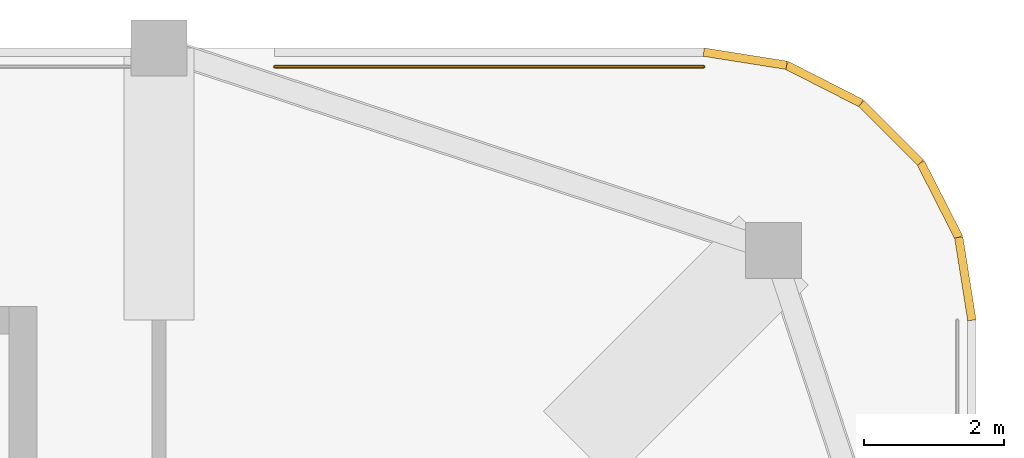
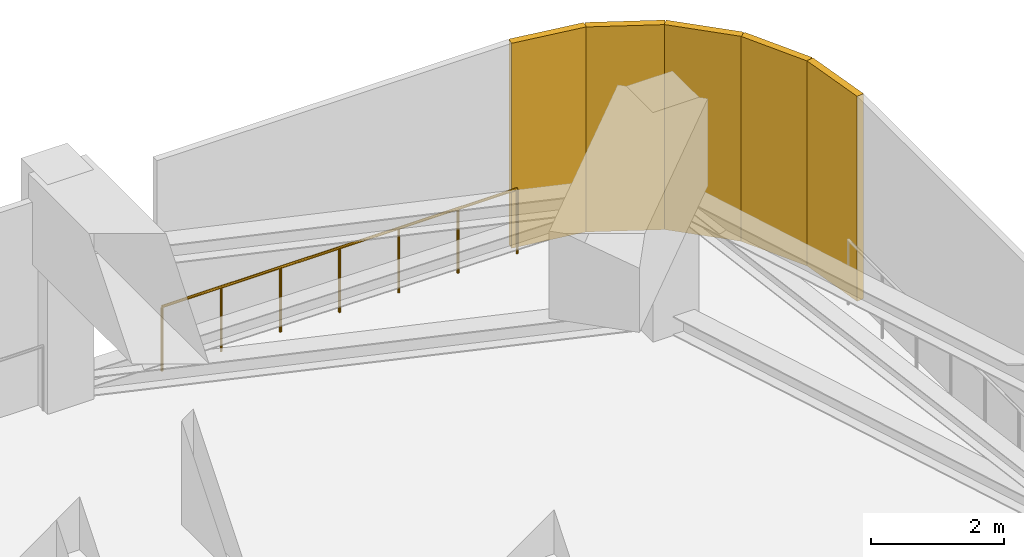
# One storey, part 13 of 13: 5 shading devices, 1 railing.
"""IFC4 building model written with IfcOpenShell, lengths in metres."""

import ifcopenshell
import ifcopenshell.guid

model = None  # the IFC model being written
_history = None  # IfcOwnerHistory: only IFC2X3 demands one
_inside = {}  # id of a spatial element -> (the spatial element, [elements in it])
_under = {}  # id of a project, library or spatial element -> (it, [spatial elements below it])
_declared = {}  # id of a project -> (the project, [libraries it declares])
_typed = {}  # id of a type object -> (the type object, [elements of that type])
_made_of = {}  # id of a material, layer set ... -> (it, [elements and type objects made of it])


def new_model(schema):
    """Start an empty IFC model of exactly this schema.

    Asked for "IFC4X3", IfcOpenShell would pick the latest addendum, in which some entities
    have other attributes; the version numbers below select the first issue.
    IFC2X3 requires an IfcOwnerHistory on every rooted entity: one is made here for all.
    """
    global model, _history
    if schema == "IFC4X3":
        model = ifcopenshell.file(schema_version=(4, 3, 0, 0))
    else:
        model = ifcopenshell.file(schema=schema)
    _inside.clear()
    _under.clear()
    _declared.clear()
    _typed.clear()
    _made_of.clear()
    _history = None
    if model.schema == "IFC2X3":
        org = make("IfcOrganization", Name="unknown")
        user = make(
            "IfcPersonAndOrganization",
            ThePerson=make("IfcPerson", FamilyName="unknown"),
            TheOrganization=org,
        )
        app = make(
            "IfcApplication",
            ApplicationDeveloper=org,
            Version="unknown",
            ApplicationFullName="unknown",
            ApplicationIdentifier="unknown",
        )
        _history = make(
            "IfcOwnerHistory",
            OwningUser=user,
            OwningApplication=app,
            ChangeAction="ADDED",
            CreationDate=0,
        )
    return model


def make(cls, **values):
    """One entity of the class cls with the attributes given. An attribute that is None is left unset."""
    return model.create_entity(
        cls, **{name: value for name, value in values.items() if value is not None}
    )


def rooted(cls, **values):
    """An entity with a GlobalId (a new one), such as an element, a storey or a relation."""
    return make(cls, GlobalId=ifcopenshell.guid.new(), OwnerHistory=_history, **values)


def si_unit(unit_type, name, prefix=None):
    """IfcSIUnit, for example si_unit("LENGTHUNIT", "METRE", prefix="MILLI")."""
    return make("IfcSIUnit", UnitType=unit_type, Prefix=prefix, Name=name)


def assignment(units):
    """IfcUnitAssignment: the units of a project."""
    return None if units is None else make("IfcUnitAssignment", Units=units)


def point(xyz):
    """IfcCartesianPoint."""
    return None if xyz is None else make("IfcCartesianPoint", Coordinates=xyz)


def direction(xyz):
    """IfcDirection."""
    return None if xyz is None else make("IfcDirection", DirectionRatios=xyz)


def frame(location, z_axis=None, x_axis=None):
    """IfcAxis2Placement3D, a coordinate frame: its origin and axes. An axis left out is left unset."""
    return make(
        "IfcAxis2Placement3D",
        Location=point(location),
        Axis=direction(z_axis),
        RefDirection=direction(x_axis),
    )


def frame_2d(location, x_axis=None):
    """IfcAxis2Placement2D, a coordinate frame in the plane: its origin and x axis."""
    return make(
        "IfcAxis2Placement2D", Location=point(location), RefDirection=direction(x_axis)
    )


def origin():
    """The frame at (0, 0, 0) with its axes left unset."""
    return frame((0.0, 0.0, 0.0))


def origin_2d():
    """The frame at (0, 0) in the plane with its x axis left unset."""
    return frame_2d((0.0, 0.0))


def place(relative_to, where):
    """IfcLocalPlacement: puts the frame where relative to a parent placement (None: the world)."""
    return make(
        "IfcLocalPlacement", PlacementRelTo=relative_to, RelativePlacement=where
    )


def context(
    kind, dimensions, precision=None, world=None, true_north=None, identifier=None
):
    """IfcGeometricRepresentationContext, for example the 3D "Model" context."""
    return make(
        "IfcGeometricRepresentationContext",
        ContextIdentifier=identifier,
        ContextType=kind,
        CoordinateSpaceDimension=dimensions,
        Precision=precision,
        WorldCoordinateSystem=world,
        TrueNorth=true_north,
    )


def subcontext(parent, identifier, kind, view, scale=None):
    """IfcGeometricRepresentationSubContext, for example "Body" below "Model"."""
    return make(
        "IfcGeometricRepresentationSubContext",
        ContextIdentifier=identifier,
        ContextType=kind,
        ParentContext=parent,
        TargetScale=scale,
        TargetView=view,
    )


def project(units=None, contexts=None):
    """IfcProject with its units and contexts."""
    return rooted(
        "IfcProject",
        Name="project",
        RepresentationContexts=contexts,
        UnitsInContext=assignment(units),
    )


def spatial(cls, under=None, at=None, **own):
    """A site, building, storey or space (cls), placed at a placement, below another one or the project."""
    s = rooted(cls, ObjectPlacement=at, **own)
    if under is not None:
        _under.setdefault(under.id(), (under, []))[1].append(s)
    return s


def profile(cls, at=None, kind="AREA", **sizes):
    """A parametric profile (cls). Its sizes go by their IFC names, for example OverallWidth=200.0."""
    return make(cls, ProfileType=kind, Position=at, **sizes)


def rectangle(**sizes):
    """IfcRectangleProfileDef."""
    return profile("IfcRectangleProfileDef", **sizes)


def circle(**sizes):
    """IfcCircleProfileDef."""
    return profile("IfcCircleProfileDef", **sizes)


def extrude(swept, where, along, depth):
    """IfcExtrudedAreaSolid: the profile swept, set in the frame where, extruded along a direction by depth."""
    return make(
        "IfcExtrudedAreaSolid",
        SweptArea=swept,
        Position=where,
        ExtrudedDirection=direction(along),
        Depth=depth,
    )


def shape(context_of_items, identifier, shape_type, items):
    """IfcShapeRepresentation: the items that make up one representation, for example the "Body"."""
    return make(
        "IfcShapeRepresentation",
        ContextOfItems=context_of_items,
        RepresentationIdentifier=identifier,
        RepresentationType=shape_type,
        Items=items,
    )


def material(Name=None, Category=None):
    """IfcMaterial."""
    return make("IfcMaterial", Name=Name, Category=Category)


def layer(
    of_material, thickness, ventilated=None, Name=None, Category=None, Priority=None
):
    """IfcMaterialLayer: one layer of a wall or slab, of a material (None: an air gap)."""
    return make(
        "IfcMaterialLayer",
        Material=of_material,
        LayerThickness=thickness,
        IsVentilated=ventilated,
        Name=Name,
        Category=Category,
        Priority=Priority,
    )


def layer_set(layers, Name=None):
    """IfcMaterialLayerSet."""
    return make("IfcMaterialLayerSet", MaterialLayers=layers, LayerSetName=Name)


def made_of(thing, what):
    """Note that an element or type object is made of a material, layer set ...; save() writes the relation."""
    if what is not None:
        _made_of.setdefault(what.id(), (what, []))[1].append(thing)
    return thing


def type_object(cls, material=None, **own):
    """A type object (cls), such as IfcWallType, which elements share."""
    return made_of(rooted(cls, **own), material)


def element(
    cls,
    number,
    at=None,
    inside=None,
    cuts=None,
    type_object=None,
    material=None,
    context=None,
    identifier="Body",
    shape_type=None,
    held_by="IfcProductDefinitionShape",
    body=None,
    shapes=None,
    **own,
):
    """One element of the class cls, such as IfcWall. Its Tag is "e" and its number.

    at: its placement. inside: the storey or other place that contains it. cuts: it is an
    opening in that element (IfcRelVoidsElement). A single representation is given by context,
    identifier, shape_type and body (its items); several are given by shapes. held_by: the class
    of the entity that holds the representations. save() writes the other relations.
    """
    e = rooted(cls, Tag="e%d" % number, ObjectPlacement=at, **own)
    if body is not None:
        shapes = [shape(context, identifier, shape_type, body)]
    if shapes is not None:
        e.Representation = make(held_by, Representations=shapes)
    if inside is not None:
        _inside.setdefault(inside.id(), (inside, []))[1].append(e)
    if cuts is not None:
        rooted(
            "IfcRelVoidsElement", RelatingBuildingElement=cuts, RelatedOpeningElement=e
        )
    if type_object is not None:
        _typed.setdefault(type_object.id(), (type_object, []))[1].append(e)
    return made_of(e, material)


def aggregate(whole, parts):
    """IfcRelAggregates: a whole, such as a stair, and the parts it consists of."""
    return rooted("IfcRelAggregates", RelatingObject=whole, RelatedObjects=parts)


def save(model, path):
    """Write the relations noted so far, then the file.

    IfcRelAggregates (storeys below a building ...), IfcRelContainedInSpatialStructure (elements
    in a storey), IfcRelDefinesByType, IfcRelAssociatesMaterial and IfcRelDeclares: one each for
    every whole, place, type object, material and project.
    """
    for whole, parts in _under.values():
        aggregate(whole, parts)
    for where, things in _inside.values():
        rooted(
            "IfcRelContainedInSpatialStructure",
            RelatedElements=things,
            RelatingStructure=where,
        )
    for kind, things in _typed.values():
        rooted("IfcRelDefinesByType", RelatedObjects=things, RelatingType=kind)
    for what, things in _made_of.values():
        rooted("IfcRelAssociatesMaterial", RelatedObjects=things, RelatingMaterial=what)
    for by, libraries in _declared.values():
        rooted("IfcRelDeclares", RelatingContext=by, RelatedDefinitions=libraries)
    model.write(path)


model = new_model("IFC4")

# Units and contexts
model_context = context("Model", 3, precision=1e-05, world=origin(), true_north=direction((0.0, 1.0)))
body_context = subcontext(model_context, "Body", "Model", "MODEL_VIEW")
ifc_project = project(units=[si_unit("LENGTHUNIT", "METRE"), si_unit("AREAUNIT", "SQUARE_METRE"), si_unit("VOLUMEUNIT", "CUBIC_METRE"), si_unit("PLANEANGLEUNIT", "RADIAN"), si_unit("MASSUNIT", "GRAM", prefix="KILO")], contexts=[model_context])

# Site, building, storey
site_placement = place(None, origin())
site = spatial("IfcSite", under=ifc_project, at=site_placement, CompositionType="ELEMENT")
building_placement = place(site_placement, origin())
building = spatial("IfcBuilding", under=site, at=building_placement, Name="Ludao Terraces", CompositionType="ELEMENT")
storey_placement = place(building_placement, frame((0.0, 0.0, 241.5)))
storey = spatial("IfcBuildingStorey", under=building, at=storey_placement, Name="L66", CompositionType="ELEMENT", Elevation=241.5)

# Shading devices
ifc_material_1 = material(Name="Aluminium 6063-T6", Category="aluminium")
ifc_layer = layer(ifc_material_1, 0.1201171875)
ifc_layer_set = layer_set([ifc_layer], Name="ENV Louvre screen 120")
shading_device_type = type_object("IfcShadingDeviceType", Name="ENV Louvre screen 120", PredefinedType="USERDEFINED", material=ifc_layer_set)
for number, where, z_axis, x_axis, name in (
    (1, (108.340087890625, 84.5, 0.0), (0.0, 0.0, 1.0), (-0.156484349296, 0.987680438414, 0.0), "LV-L66-NE1"),
    (2, (108.152099609375, 85.6865234375, 0.0), (0.0, 0.0, 1.0), (-0.453947089066, 0.891028641699, 0.0), "LV-L66-NE2"),
    (3, (107.606689453125, 86.757080078125, 0.0), (0.0, 0.0, 1.0), (-0.707106781187, 0.707106781187, 0.0), "LV-L66-NE3"),
    (4, (106.757080078125, 87.606689453125, 0.0), (0.0, 0.0, 1.0), (-0.891028641699, 0.453947089066, 0.0), "LV-L66-NE4"),
    (5, (105.6865234375, 88.152099609375, 0.0), (0.0, 0.0, 1.0), (-0.987680438414, 0.156484349296, 0.0), "LV-L66-NE5"),
):
    element("IfcShadingDevice", number, at=place(storey_placement, frame(where, z_axis=z_axis, x_axis=x_axis)), inside=storey, type_object=shading_device_type, Name=name, ObjectType="LOUVRE", PredefinedType="USERDEFINED", context=body_context, shape_type="SweptSolid", body=[
        extrude(rectangle(XDim=1.201416015625, YDim=0.1201171875, at=frame_2d((0.6005859375, 0.0))), origin(), (0.0, 0.0, 1.0), 3.75),
    ])

# Railing
ifc_material_2 = material(Name="Steel Q235", Category="steel")
railing_type = type_object("IfcRailingType", Name="ENV Open-edge guard 1200", PredefinedType="GUARDRAIL", material=ifc_material_2)
railing_placement = place(storey_placement, frame((98.354248046875, 88.1298828125, 0.0)))
element("IfcRailing", 6, at=railing_placement, inside=storey, type_object=railing_type, Name="Guard L66 N3", PredefinedType="GUARDRAIL", context=body_context, shape_type="SweptSolid", body=[
    extrude(circle(Radius=0.02392578125, at=origin_2d()), frame((0.0, 0.0, 1.17578125), z_axis=(1.0, 0.0, 0.0), x_axis=(0.0, 1.0, 0.0)), (0.0, 0.0, 1.0), 6.145751953125),
    extrude(circle(Radius=0.02099609375, at=origin_2d()), origin(), (0.0, 0.0, 1.0), 1.15185546875),
    extrude(circle(Radius=0.02099609375, at=origin_2d()), frame((1.0244140625, 0.0, 0.0)), (0.0, 0.0, 1.0), 1.15185546875),
    extrude(circle(Radius=0.02099609375, at=origin_2d()), frame((2.048583984375, 0.0, 0.0)), (0.0, 0.0, 1.0), 1.15185546875),
    extrude(circle(Radius=0.02099609375, at=origin_2d()), frame((3.07275390625, 0.0, 0.0)), (0.0, 0.0, 1.0), 1.15185546875),
    extrude(circle(Radius=0.02099609375, at=origin_2d()), frame((4.09716796875, 0.0, 0.0)), (0.0, 0.0, 1.0), 1.15185546875),
    extrude(circle(Radius=0.02099609375, at=origin_2d()), frame((5.12158203125, 0.0, 0.0)), (0.0, 0.0, 1.0), 1.15185546875),
    extrude(circle(Radius=0.02099609375, at=origin_2d()), frame((6.145751953125, 0.0, 0.0)), (0.0, 0.0, 1.0), 1.15185546875),
])

save(model, "model.ifc")
